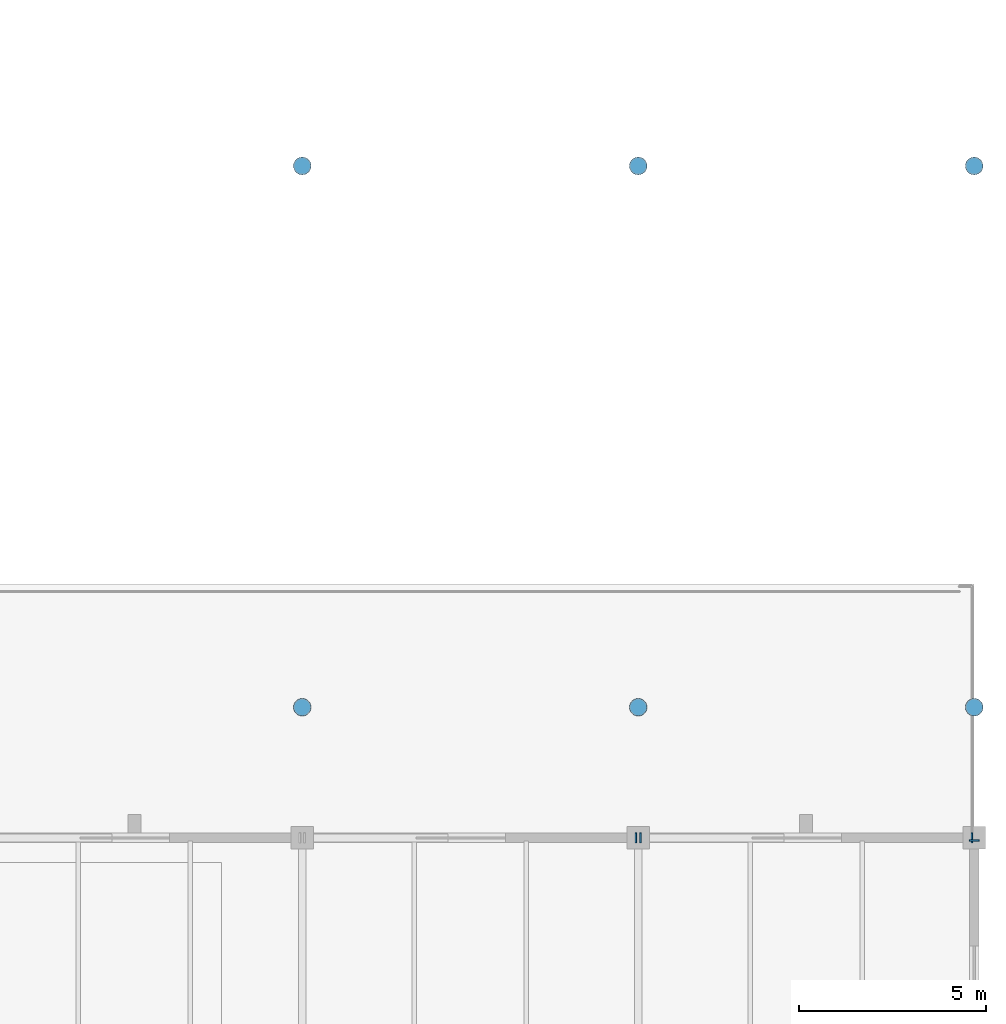
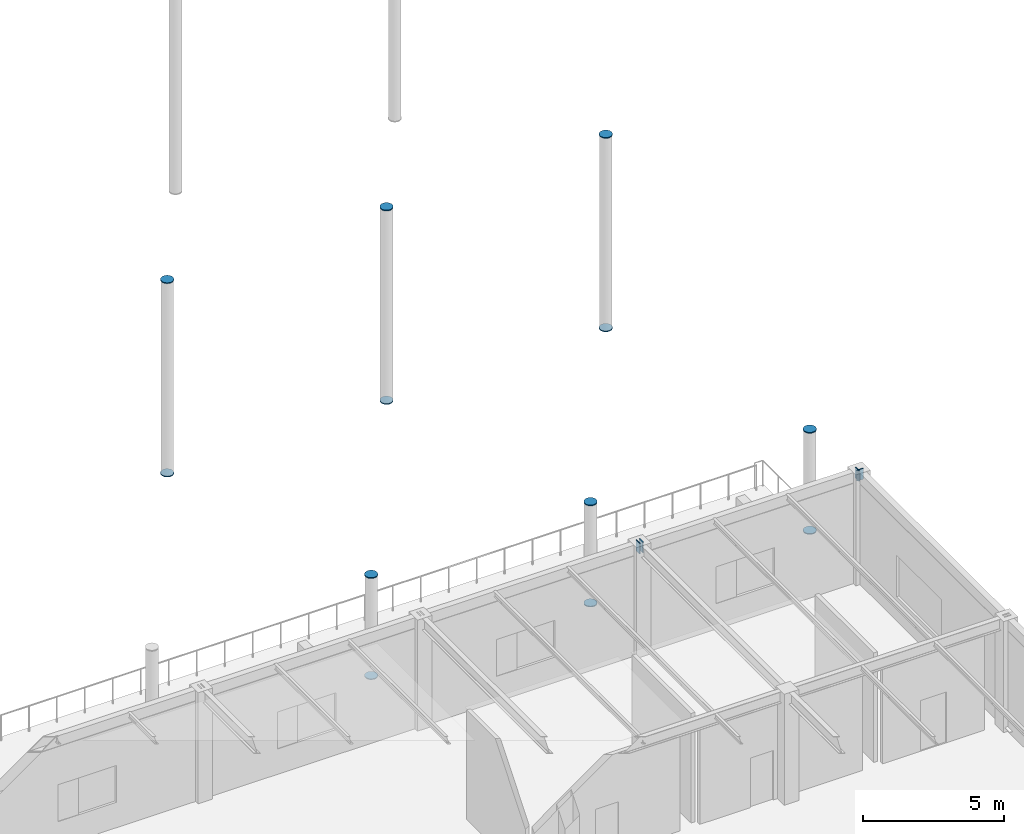
# One storey, part 110 of 143: 16 discrete accessories.
"""IFC4 building model written with IfcOpenShell, lengths in metres."""

from ifc_helpers import new_model, si_unit, direction, frame, origin, origin_2d, place, context, subcontext, project, spatial, rectangle, circle, extrude, material, element, save


model = new_model("IFC4")

# Units and contexts
model_context = context("Model", 3, precision=1e-05, world=origin(), true_north=direction((0.0, 1.0)))
body_context = subcontext(model_context, "Body", "Model", "MODEL_VIEW")
ifc_project = project(units=[si_unit("LENGTHUNIT", "METRE"), si_unit("AREAUNIT", "SQUARE_METRE"), si_unit("VOLUMEUNIT", "CUBIC_METRE"), si_unit("PLANEANGLEUNIT", "RADIAN"), si_unit("MASSUNIT", "GRAM", prefix="KILO")], contexts=[model_context])

# Site, building, storey
site_placement = place(None, origin())
site = spatial("IfcSite", under=ifc_project, at=site_placement, CompositionType="ELEMENT")
building_placement = place(site_placement, origin())
building = spatial("IfcBuilding", under=site, at=building_placement, Name="Marlcrest Central Station", CompositionType="ELEMENT")
storey_placement = place(building_placement, frame((0.0, 0.0, 4.800048828125)))
storey = spatial("IfcBuildingStorey", under=building, at=storey_placement, Name="L01", CompositionType="ELEMENT", Elevation=4.800048828125)

# Discrete accessories
ifc_material = material(Name="Steel S355", Category="steel")
for number, where, z_axis, x_axis, name in (
    (1, (206.9150390625, 33.0, 4.58984375), (1.0, 0.0, 0.0), (0.0, 1.0, 0.0), "endcap-bm-SP-02-L01-00885-e"),
    (2, (207.045166015625, 33.0, 4.58984375), (1.0, 0.0, 0.0), (0.0, 1.0, 0.0), "endcap-bm-SP-02-L01-00886-s"),
    (3, (215.9150390625, 33.0, 4.58984375), (1.0, 0.0, 0.0), (0.0, 1.0, 0.0), "endcap-bm-SP-02-L01-00886-e"),
    (4, (216.0, 32.9150390625, 4.58984375), (0.0, 1.0, 0.0), (-1.0, 0.0, 0.0), "endcap-bm-SP-02-L01-00910-e"),
):
    element("IfcDiscreteAccessory", number, at=place(storey_placement, frame(where, z_axis=z_axis, x_axis=x_axis)), inside=storey, material=ifc_material, Name=name, ObjectType="END_CAP_PLATE", PredefinedType="BRACKET", context=body_context, shape_type="SweptSolid", body=[
        extrude(rectangle(XDim=0.26611328125, YDim=0.466064453125, at=origin_2d()), origin(), (0.0, 0.0, 1.0), 0.0400390625),
    ])
for number, where, z_axis, x_axis, name in (
    (5, (198.0, 36.5, -0.014892578125), (0.0, 0.0, 1.0), (1.0, 0.0, 0.0), "endcap-col-SC-11-L01-0579-s"),
    (6, (198.0, 36.5, 4.375), (0.0, 0.0, 1.0), (1.0, 0.0, 0.0), "endcap-col-SC-11-L01-0579-e"),
    (7, (198.0, 51.0, -0.014892578125), (0.0, 0.0, 1.0), (1.0, 0.0, 0.0), "endcap-col-SC-11-L01-0581-s"),
    (8, (198.0, 51.0, 8.37890625), (0.0, 0.0, 1.0), (1.0, 0.0, 0.0), "endcap-col-SC-11-L01-0581-e"),
    (9, (207.0, 36.5, -0.014892578125), (0.0, 0.0, 1.0), (1.0, 0.0, 0.0), "endcap-col-SC-11-L01-0590-s"),
    (10, (207.0, 36.5, 4.375), (0.0, 0.0, 1.0), (1.0, 0.0, 0.0), "endcap-col-SC-11-L01-0590-e"),
    (11, (207.0, 51.0, -0.014892578125), (0.0, 0.0, 1.0), (1.0, 0.0, 0.0), "endcap-col-SC-11-L01-0592-s"),
    (12, (207.0, 51.0, 8.37890625), (0.0, 0.0, 1.0), (1.0, 0.0, 0.0), "endcap-col-SC-11-L01-0592-e"),
    (13, (216.0, 36.5, -0.014892578125), (0.0, 0.0, 1.0), (1.0, 0.0, 0.0), "endcap-col-SC-11-L01-0601-s"),
    (14, (216.0, 36.5, 4.375), (0.0, 0.0, 1.0), (1.0, 0.0, 0.0), "endcap-col-SC-11-L01-0601-e"),
    (15, (216.0, 51.0, -0.014892578125), (0.0, 0.0, 1.0), (1.0, 0.0, 0.0), "endcap-col-SC-11-L01-0603-s"),
    (16, (216.0, 51.0, 8.37890625), (0.0, 0.0, 1.0), (1.0, 0.0, 0.0), "endcap-col-SC-11-L01-0603-e"),
):
    element("IfcDiscreteAccessory", number, at=place(storey_placement, frame(where, z_axis=z_axis, x_axis=x_axis)), inside=storey, material=ifc_material, Name=name, ObjectType="END_CAP_PLATE", PredefinedType="BRACKET", context=body_context, shape_type="SweptSolid", body=[
        extrude(circle(Radius=0.236572265625, at=origin_2d()), origin(), (0.0, 0.0, 1.0), 0.0400390625),
    ])

save(model, "model.ifc")
